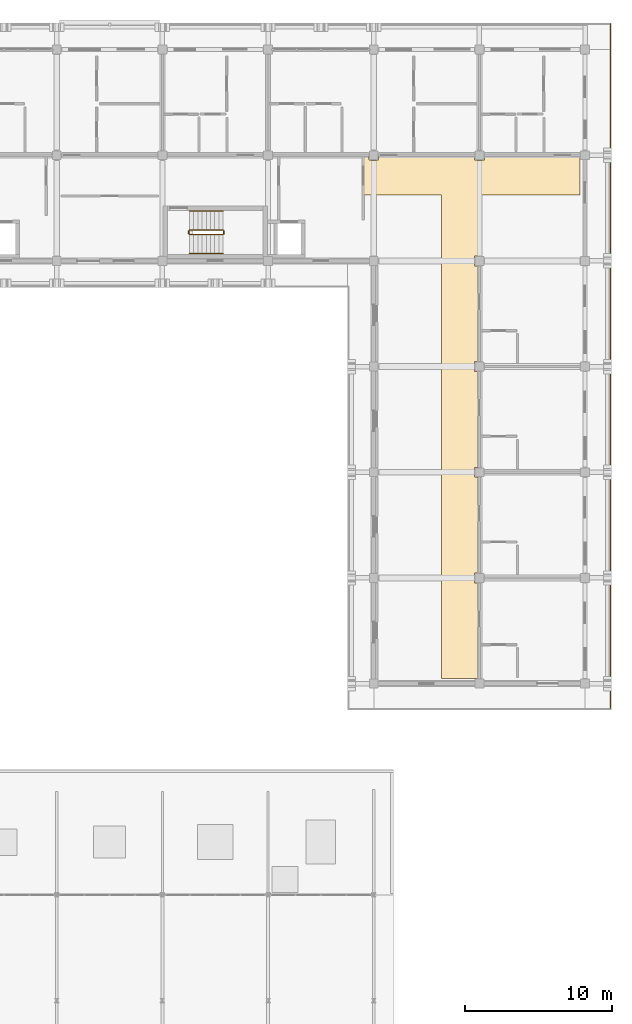
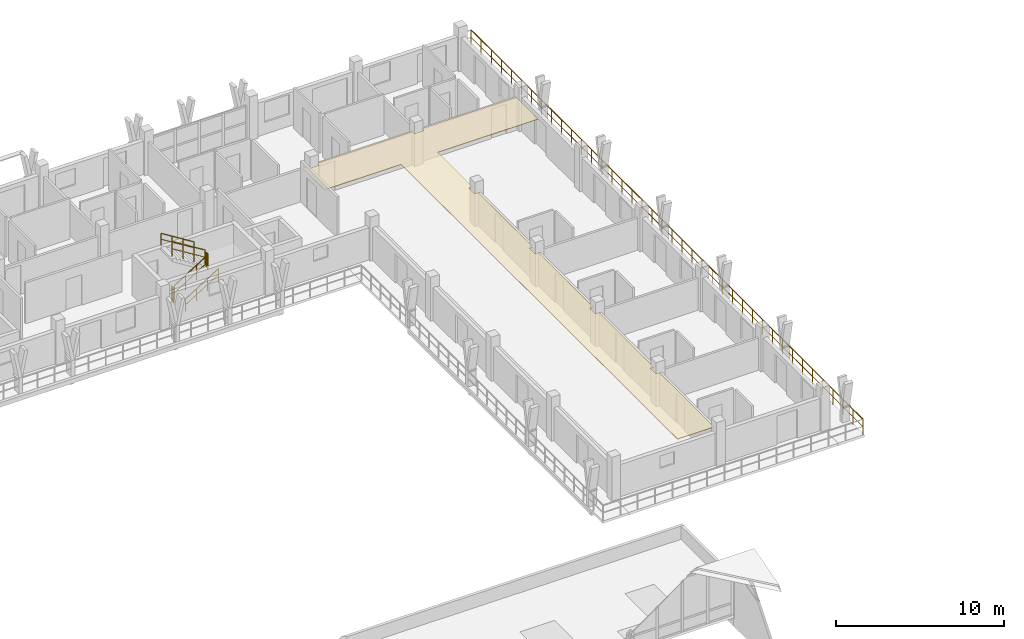
# One storey, part 157 of 157: 7 railings, 1 covering.
"""IFC4 building model written with IfcOpenShell, lengths in metres."""

from ifc_helpers import new_model, si_unit, direction, frame, origin, origin_2d, place, context, subcontext, project, spatial, polyline, rectangle, outline, extrude, material, layer, layer_set, type_object, element, save


model = new_model("IFC4")

# Units and contexts
model_context = context("Model", 3, precision=1e-05, world=origin(), true_north=direction((0.0, 1.0)))
body_context = subcontext(model_context, "Body", "Model", "MODEL_VIEW")
ifc_project = project(units=[si_unit("LENGTHUNIT", "METRE"), si_unit("AREAUNIT", "SQUARE_METRE"), si_unit("VOLUMEUNIT", "CUBIC_METRE"), si_unit("PLANEANGLEUNIT", "RADIAN"), si_unit("MASSUNIT", "GRAM", prefix="KILO")], contexts=[model_context])

# Site, building, storey
site_placement = place(None, origin())
site = spatial("IfcSite", under=ifc_project, at=site_placement, CompositionType="ELEMENT")
building_placement = place(site_placement, origin())
building = spatial("IfcBuilding", under=site, at=building_placement, Name="Suanplinth Sawtooth Commons", CompositionType="ELEMENT")
storey_placement = place(building_placement, frame((0.0, 0.0, 9.0)))
storey = spatial("IfcBuildingStorey", under=building, at=storey_placement, Name="L02", CompositionType="ELEMENT", Elevation=9.0)

# Covering
ifc_material_1 = material(Name="Mineral fibre acoustic tile")
ifc_layer = layer(ifc_material_1, 0.0400390625, Name="Perforated mineral-fibre acoustic suspended ceiling")
ifc_layer_set = layer_set([ifc_layer], Name="Mineral fibre acoustic tile")
covering_type = type_object("IfcCoveringType", Name="CV-CE01", PredefinedType="CEILING", material=ifc_layer_set)
covering_placement = place(storey_placement, frame((0.0, 0.0, 2.3798828125)))
element("IfcCovering", 1, at=covering_placement, inside=storey, type_object=covering_type, Name="L02 Block B Corridor Acoustic Ceiling", PredefinedType="CEILING", context=body_context, shape_type="SweptSolid", body=[
    extrude(outline(polyline([(172.469970703125, 115.1201171875), (172.469970703125, 114.8701171875), (173.1298828125, 114.8701171875), (173.1298828125, 115.1201171875), (179.669921875, 115.1201171875), (179.669921875, 114.8701171875), (180.330078125, 114.8701171875), (180.330078125, 115.1201171875), (186.840087890625, 115.1201171875), (186.840087890625, 112.5), (179.919921875, 112.5), (179.919921875, 108.330078125), (179.669921875, 108.330078125), (179.669921875, 107.669921875), (179.919921875, 107.669921875), (179.919921875, 101.1298828125), (179.669921875, 101.1298828125), (179.669921875, 100.469970703125), (179.919921875, 100.469970703125), (179.919921875, 93.929931640625), (179.669921875, 93.929931640625), (179.669921875, 93.27001953125), (179.919921875, 93.27001953125), (179.919921875, 86.72998046875), (179.669921875, 86.72998046875), (179.669921875, 86.070068359375), (179.919921875, 86.070068359375), (179.919921875, 79.56005859375), (177.39990234375, 79.56005859375), (177.39990234375, 112.5), (172.1201171875, 112.5), (172.1201171875, 115.1201171875), (172.469970703125, 115.1201171875)])), origin(), (0.0, 0.0, 1.0), 0.0400390625),
])

# Railings
ifc_material_2 = material(Name="Powder-coated galvanized steel", Category="steel")
railing_type_1 = type_object("IfcRailingType", Name="GR-01", PredefinedType="BALUSTRADE", material=ifc_material_2)
railing_1_placement = place(storey_placement, frame((188.93994140625, 124.139892578125, 0.0)))
element("IfcRailing", 2, at=railing_1_placement, inside=storey, type_object=railing_type_1, Name="L02 Block B Perimeter Balustrade 5", PredefinedType="BALUSTRADE", context=body_context, shape_type="SweptSolid", body=[
    extrude(rectangle(XDim=0.048095703125, YDim=0.048095703125, at=origin_2d()), frame((0.0, 0.0, 1.09619140625), z_axis=(0.0, -1.0, 0.0), x_axis=(1.0, 0.0, 0.0)), (0.0, 0.0, 1.0), 46.679931640625),
    extrude(rectangle(XDim=0.03369140625, YDim=0.03369140625, at=origin_2d()), frame((0.0, 0.0, 0.56005859375), z_axis=(0.0, -1.0, 0.0), x_axis=(1.0, 0.0, 0.0)), (0.0, 0.0, 1.0), 46.679931640625),
    extrude(rectangle(XDim=0.0419921875, YDim=0.0419921875, at=origin_2d()), origin(), (0.0, 0.0, 1.0), 1.072021484375),
    extrude(rectangle(XDim=0.0419921875, YDim=0.0419921875, at=origin_2d()), frame((0.0, -1.197021484375, 0.0)), (0.0, 0.0, 1.0), 1.072021484375),
    extrude(rectangle(XDim=0.0419921875, YDim=0.0419921875, at=origin_2d()), frame((0.0, -2.393798828125, 0.0)), (0.0, 0.0, 1.0), 1.072021484375),
    extrude(rectangle(XDim=0.0419921875, YDim=0.0419921875, at=origin_2d()), frame((0.0, -3.5908203125, 0.0)), (0.0, 0.0, 1.0), 1.072021484375),
    extrude(rectangle(XDim=0.0419921875, YDim=0.0419921875, at=origin_2d()), frame((0.0, -4.78759765625, 0.0)), (0.0, 0.0, 1.0), 1.072021484375),
    extrude(rectangle(XDim=0.0419921875, YDim=0.0419921875, at=origin_2d()), frame((0.0, -5.984619140625, 0.0)), (0.0, 0.0, 1.0), 1.072021484375),
    extrude(rectangle(XDim=0.0419921875, YDim=0.0419921875, at=origin_2d()), frame((0.0, -7.181640625, 0.0)), (0.0, 0.0, 1.0), 1.072021484375),
    extrude(rectangle(XDim=0.0419921875, YDim=0.0419921875, at=origin_2d()), frame((0.0, -8.37841796875, 0.0)), (0.0, 0.0, 1.0), 1.072021484375),
    extrude(rectangle(XDim=0.0419921875, YDim=0.0419921875, at=origin_2d()), frame((0.0, -9.575439453125, 0.0)), (0.0, 0.0, 1.0), 1.072021484375),
    extrude(rectangle(XDim=0.0419921875, YDim=0.0419921875, at=origin_2d()), frame((0.0, -10.772216796875, 0.0)), (0.0, 0.0, 1.0), 1.072021484375),
    extrude(rectangle(XDim=0.0419921875, YDim=0.0419921875, at=origin_2d()), frame((0.0, -11.96923828125, 0.0)), (0.0, 0.0, 1.0), 1.072021484375),
    extrude(rectangle(XDim=0.0419921875, YDim=0.0419921875, at=origin_2d()), frame((0.0, -13.166015625, 0.0)), (0.0, 0.0, 1.0), 1.072021484375),
    extrude(rectangle(XDim=0.0419921875, YDim=0.0419921875, at=origin_2d()), frame((0.0, -14.363037109375, 0.0)), (0.0, 0.0, 1.0), 1.072021484375),
    extrude(rectangle(XDim=0.0419921875, YDim=0.0419921875, at=origin_2d()), frame((0.0, -15.56005859375, 0.0)), (0.0, 0.0, 1.0), 1.072021484375),
    extrude(rectangle(XDim=0.0419921875, YDim=0.0419921875, at=origin_2d()), frame((0.0, -16.7568359375, 0.0)), (0.0, 0.0, 1.0), 1.072021484375),
    extrude(rectangle(XDim=0.0419921875, YDim=0.0419921875, at=origin_2d()), frame((0.0, -17.953857421875, 0.0)), (0.0, 0.0, 1.0), 1.072021484375),
    extrude(rectangle(XDim=0.0419921875, YDim=0.0419921875, at=origin_2d()), frame((0.0, -19.150634765625, 0.0)), (0.0, 0.0, 1.0), 1.072021484375),
    extrude(rectangle(XDim=0.0419921875, YDim=0.0419921875, at=origin_2d()), frame((0.0, -20.34765625, 0.0)), (0.0, 0.0, 1.0), 1.072021484375),
    extrude(rectangle(XDim=0.0419921875, YDim=0.0419921875, at=origin_2d()), frame((0.0, -21.544677734375, 0.0)), (0.0, 0.0, 1.0), 1.072021484375),
    extrude(rectangle(XDim=0.0419921875, YDim=0.0419921875, at=origin_2d()), frame((0.0, -22.741455078125, 0.0)), (0.0, 0.0, 1.0), 1.072021484375),
    extrude(rectangle(XDim=0.0419921875, YDim=0.0419921875, at=origin_2d()), frame((0.0, -23.9384765625, 0.0)), (0.0, 0.0, 1.0), 1.072021484375),
    extrude(rectangle(XDim=0.0419921875, YDim=0.0419921875, at=origin_2d()), frame((0.0, -25.13525390625, 0.0)), (0.0, 0.0, 1.0), 1.072021484375),
    extrude(rectangle(XDim=0.0419921875, YDim=0.0419921875, at=origin_2d()), frame((0.0, -26.332275390625, 0.0)), (0.0, 0.0, 1.0), 1.072021484375),
    extrude(rectangle(XDim=0.0419921875, YDim=0.0419921875, at=origin_2d()), frame((0.0, -27.529296875, 0.0)), (0.0, 0.0, 1.0), 1.072021484375),
    extrude(rectangle(XDim=0.0419921875, YDim=0.0419921875, at=origin_2d()), frame((0.0, -28.72607421875, 0.0)), (0.0, 0.0, 1.0), 1.072021484375),
    extrude(rectangle(XDim=0.0419921875, YDim=0.0419921875, at=origin_2d()), frame((0.0, -29.923095703125, 0.0)), (0.0, 0.0, 1.0), 1.072021484375),
    extrude(rectangle(XDim=0.0419921875, YDim=0.0419921875, at=origin_2d()), frame((0.0, -31.119873046875, 0.0)), (0.0, 0.0, 1.0), 1.072021484375),
    extrude(rectangle(XDim=0.0419921875, YDim=0.0419921875, at=origin_2d()), frame((0.0, -32.31689453125, 0.0)), (0.0, 0.0, 1.0), 1.072021484375),
    extrude(rectangle(XDim=0.0419921875, YDim=0.0419921875, at=origin_2d()), frame((0.0, -33.513916015625, 0.0)), (0.0, 0.0, 1.0), 1.072021484375),
    extrude(rectangle(XDim=0.0419921875, YDim=0.0419921875, at=origin_2d()), frame((0.0, -34.710693359375, 0.0)), (0.0, 0.0, 1.0), 1.072021484375),
    extrude(rectangle(XDim=0.0419921875, YDim=0.0419921875, at=origin_2d()), frame((0.0, -35.90771484375, 0.0)), (0.0, 0.0, 1.0), 1.072021484375),
    extrude(rectangle(XDim=0.0419921875, YDim=0.0419921875, at=origin_2d()), frame((0.0, -37.1044921875, 0.0)), (0.0, 0.0, 1.0), 1.072021484375),
    extrude(rectangle(XDim=0.0419921875, YDim=0.0419921875, at=origin_2d()), frame((0.0, -38.301513671875, 0.0)), (0.0, 0.0, 1.0), 1.072021484375),
    extrude(rectangle(XDim=0.0419921875, YDim=0.0419921875, at=origin_2d()), frame((0.0, -39.498291015625, 0.0)), (0.0, 0.0, 1.0), 1.072021484375),
    extrude(rectangle(XDim=0.0419921875, YDim=0.0419921875, at=origin_2d()), frame((0.0, -40.6953125, 0.0)), (0.0, 0.0, 1.0), 1.072021484375),
    extrude(rectangle(XDim=0.0419921875, YDim=0.0419921875, at=origin_2d()), frame((0.0, -41.892333984375, 0.0)), (0.0, 0.0, 1.0), 1.072021484375),
    extrude(rectangle(XDim=0.0419921875, YDim=0.0419921875, at=origin_2d()), frame((0.0, -43.089111328125, 0.0)), (0.0, 0.0, 1.0), 1.072021484375),
    extrude(rectangle(XDim=0.0419921875, YDim=0.0419921875, at=origin_2d()), frame((0.0, -44.2861328125, 0.0)), (0.0, 0.0, 1.0), 1.072021484375),
    extrude(rectangle(XDim=0.0419921875, YDim=0.0419921875, at=origin_2d()), frame((0.0, -45.48291015625, 0.0)), (0.0, 0.0, 1.0), 1.072021484375),
    extrude(rectangle(XDim=0.0419921875, YDim=0.0419921875, at=origin_2d()), frame((0.0, -46.679931640625, 0.0)), (0.0, 0.0, 1.0), 1.072021484375),
])
ifc_material_3 = material(Name="Stainless steel Grade 304", Category="steel")
railing_type_2 = type_object("IfcRailingType", Name="GR-04", PredefinedType="GUARDRAIL", material=ifc_material_3)
railing_2_placement = place(storey_placement, frame((160.25, 109.800048828125, 0.177734375)))
element("IfcRailing", 3, at=railing_2_placement, inside=storey, type_object=railing_type_2, Name="L02 ST-E2 Guard 1", PredefinedType="GUARDRAIL", context=body_context, shape_type="SweptSolid", body=[
    extrude(rectangle(XDim=0.048095703125, YDim=0.048095703125, at=origin_2d()), frame((0.0, 0.0, 1.076171875), z_axis=(0.848442045328, 0.0, 0.529288291689), x_axis=(0.0, 1.0, 0.0)), (0.0, 0.0, 1.0), 2.687255859375),
    extrude(rectangle(XDim=0.03369140625, YDim=0.03369140625, at=origin_2d()), frame((0.0, 0.0, 0.550048828125), z_axis=(0.848442045328, 0.0, 0.529288291689), x_axis=(0.0, 1.0, 0.0)), (0.0, 0.0, 1.0), 2.687255859375),
    extrude(rectangle(XDim=0.0419921875, YDim=0.0419921875, at=origin_2d()), origin(), (0.0, 0.0, 1.0), 1.052001953125),
    extrude(rectangle(XDim=0.0419921875, YDim=0.0419921875, at=origin_2d()), frame((0.760009765625, 0.0, 0.47412109375)), (0.0, 0.0, 1.0), 1.052001953125),
    extrude(rectangle(XDim=0.0419921875, YDim=0.0419921875, at=origin_2d()), frame((1.52001953125, 0.0, 0.9482421875)), (0.0, 0.0, 1.0), 1.052001953125),
    extrude(rectangle(XDim=0.0419921875, YDim=0.0419921875, at=origin_2d()), frame((2.280029296875, 0.0, 1.42236328125)), (0.0, 0.0, 1.0), 1.052001953125),
])
railing_3_placement = place(storey_placement, frame((162.580078125, 109.85009765625, 1.60009765625)))
element("IfcRailing", 4, at=railing_3_placement, inside=storey, type_object=railing_type_2, Name="L02 ST-E2 Guard 2", PredefinedType="GUARDRAIL", context=body_context, shape_type="SweptSolid", body=[
    extrude(rectangle(XDim=0.048095703125, YDim=0.048095703125, at=origin_2d()), frame((0.0, 0.0, 1.076171875), z_axis=(0.0, 1.0, 0.0), x_axis=(-1.0, 0.0, 0.0)), (0.0, 0.0, 1.0), 0.199951171875),
    extrude(rectangle(XDim=0.03369140625, YDim=0.03369140625, at=origin_2d()), frame((0.0, 0.0, 0.550048828125), z_axis=(0.0, 1.0, 0.0), x_axis=(-1.0, 0.0, 0.0)), (0.0, 0.0, 1.0), 0.199951171875),
    extrude(rectangle(XDim=0.0419921875, YDim=0.0419921875, at=origin_2d()), origin(), (0.0, 0.0, 1.0), 1.052001953125),
    extrude(rectangle(XDim=0.0419921875, YDim=0.0419921875, at=origin_2d()), frame((0.0, 0.199951171875, 0.0)), (0.0, 0.0, 1.0), 1.052001953125),
])
railing_4_placement = place(storey_placement, frame((162.530029296875, 110.10009765625, 1.77783203125)))
element("IfcRailing", 5, at=railing_4_placement, inside=storey, type_object=railing_type_2, Name="L02 ST-E2 Guard 3", PredefinedType="GUARDRAIL", context=body_context, shape_type="SweptSolid", body=[
    extrude(rectangle(XDim=0.048095703125, YDim=0.048095703125, at=origin_2d()), frame((0.0, 0.0, 1.076171875), z_axis=(-0.848482842525, 0.0, 0.529222888715), x_axis=(0.0, -1.0, 0.0)), (0.0, 0.0, 1.0), 2.687255859375),
    extrude(rectangle(XDim=0.03369140625, YDim=0.03369140625, at=origin_2d()), frame((0.0, 0.0, 0.550048828125), z_axis=(-0.848482842525, 0.0, 0.529222888715), x_axis=(0.0, -1.0, 0.0)), (0.0, 0.0, 1.0), 2.687255859375),
    extrude(rectangle(XDim=0.0419921875, YDim=0.0419921875, at=origin_2d()), origin(), (0.0, 0.0, 1.0), 1.052001953125),
    extrude(rectangle(XDim=0.0419921875, YDim=0.0419921875, at=origin_2d()), frame((-0.760009765625, 0.0, 0.47412109375)), (0.0, 0.0, 1.0), 1.052001953125),
    extrude(rectangle(XDim=0.0419921875, YDim=0.0419921875, at=origin_2d()), frame((-1.52001953125, 0.0, 0.947998046875)), (0.0, 0.0, 1.0), 1.052001953125),
    extrude(rectangle(XDim=0.0419921875, YDim=0.0419921875, at=origin_2d()), frame((-2.280029296875, 0.0, 1.422119140625)), (0.0, 0.0, 1.0), 1.052001953125),
])
railing_5_placement = place(storey_placement, frame((160.199951171875, 109.85009765625, 0.0)))
element("IfcRailing", 6, at=railing_5_placement, inside=storey, type_object=railing_type_2, Name="L02 ST-E2 Guard 4", PredefinedType="GUARDRAIL", context=body_context, shape_type="SweptSolid", body=[
    extrude(rectangle(XDim=0.048095703125, YDim=0.048095703125, at=origin_2d()), frame((0.0, 0.0, 1.076171875), z_axis=(0.0, 1.0, 0.0), x_axis=(-1.0, 0.0, 0.0)), (0.0, 0.0, 1.0), 0.199951171875),
    extrude(rectangle(XDim=0.03369140625, YDim=0.03369140625, at=origin_2d()), frame((0.0, 0.0, 0.550048828125), z_axis=(0.0, 1.0, 0.0), x_axis=(-1.0, 0.0, 0.0)), (0.0, 0.0, 1.0), 0.199951171875),
    extrude(rectangle(XDim=0.0419921875, YDim=0.0419921875, at=origin_2d()), origin(), (0.0, 0.0, 1.0), 1.052001953125),
    extrude(rectangle(XDim=0.0419921875, YDim=0.0419921875, at=origin_2d()), frame((0.0, 0.199951171875, 0.0)), (0.0, 0.0, 1.0), 1.052001953125),
])
railing_type_3 = type_object("IfcRailingType", Name="HR-01", PredefinedType="HANDRAIL", material=ifc_material_3)
railing_6_placement = place(storey_placement, frame((160.25, 108.5, 0.177734375)))
element("IfcRailing", 7, at=railing_6_placement, inside=storey, type_object=railing_type_3, Name="L02 ST-E2 Handrail 1", PredefinedType="HANDRAIL", context=body_context, shape_type="SweptSolid", body=[
    extrude(rectangle(XDim=0.048095703125, YDim=0.048095703125, at=origin_2d()), frame((0.0, 0.0, 0.8759765625), z_axis=(0.848442045328, 0.0, 0.529288291689), x_axis=(0.0, 1.0, 0.0)), (0.0, 0.0, 1.0), 2.687255859375),
    extrude(rectangle(XDim=0.03369140625, YDim=0.03369140625, at=origin_2d()), frame((0.0, 0.0, 0.449951171875), z_axis=(0.848442045328, 0.0, 0.529288291689), x_axis=(0.0, 1.0, 0.0)), (0.0, 0.0, 1.0), 2.687255859375),
    extrude(rectangle(XDim=0.0419921875, YDim=0.0419921875, at=origin_2d()), origin(), (0.0, 0.0, 1.0), 0.851806640625),
    extrude(rectangle(XDim=0.0419921875, YDim=0.0419921875, at=origin_2d()), frame((0.760009765625, 0.0, 0.47412109375)), (0.0, 0.0, 1.0), 0.851806640625),
    extrude(rectangle(XDim=0.0419921875, YDim=0.0419921875, at=origin_2d()), frame((1.52001953125, 0.0, 0.9482421875)), (0.0, 0.0, 1.0), 0.851806640625),
    extrude(rectangle(XDim=0.0419921875, YDim=0.0419921875, at=origin_2d()), frame((2.280029296875, 0.0, 1.42236328125)), (0.0, 0.0, 1.0), 0.851806640625),
])
railing_7_placement = place(storey_placement, frame((162.530029296875, 111.39990234375, 1.77783203125)))
element("IfcRailing", 8, at=railing_7_placement, inside=storey, type_object=railing_type_3, Name="L02 ST-E2 Handrail 2", PredefinedType="HANDRAIL", context=body_context, shape_type="SweptSolid", body=[
    extrude(rectangle(XDim=0.048095703125, YDim=0.048095703125, at=origin_2d()), frame((0.0, 0.0, 0.8759765625), z_axis=(-0.848482842525, 0.0, 0.529222888715), x_axis=(0.0, -1.0, 0.0)), (0.0, 0.0, 1.0), 2.687255859375),
    extrude(rectangle(XDim=0.03369140625, YDim=0.03369140625, at=origin_2d()), frame((0.0, 0.0, 0.449951171875), z_axis=(-0.848482842525, 0.0, 0.529222888715), x_axis=(0.0, -1.0, 0.0)), (0.0, 0.0, 1.0), 2.687255859375),
    extrude(rectangle(XDim=0.0419921875, YDim=0.0419921875, at=origin_2d()), origin(), (0.0, 0.0, 1.0), 0.851806640625),
    extrude(rectangle(XDim=0.0419921875, YDim=0.0419921875, at=origin_2d()), frame((-0.760009765625, 0.0, 0.47412109375)), (0.0, 0.0, 1.0), 0.851806640625),
    extrude(rectangle(XDim=0.0419921875, YDim=0.0419921875, at=origin_2d()), frame((-1.52001953125, 0.0, 0.947998046875)), (0.0, 0.0, 1.0), 0.851806640625),
    extrude(rectangle(XDim=0.0419921875, YDim=0.0419921875, at=origin_2d()), frame((-2.280029296875, 0.0, 1.422119140625)), (0.0, 0.0, 1.0), 0.851806640625),
])

save(model, "model.ifc")
